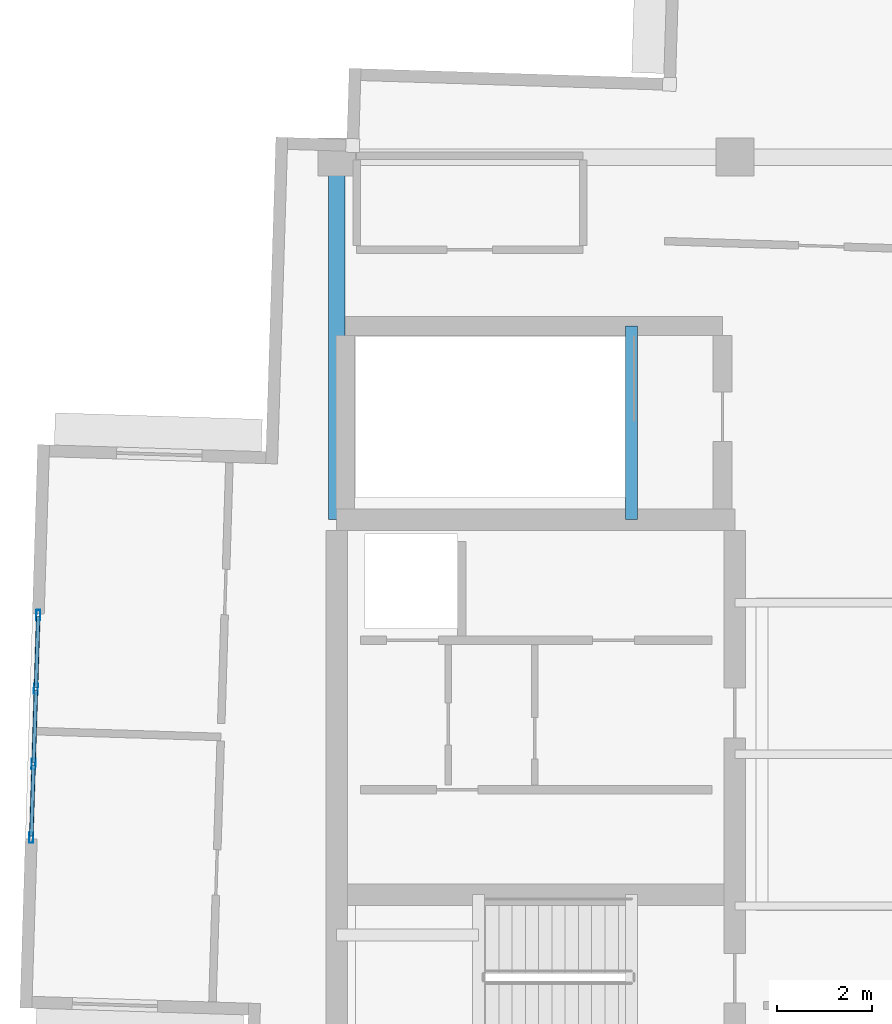
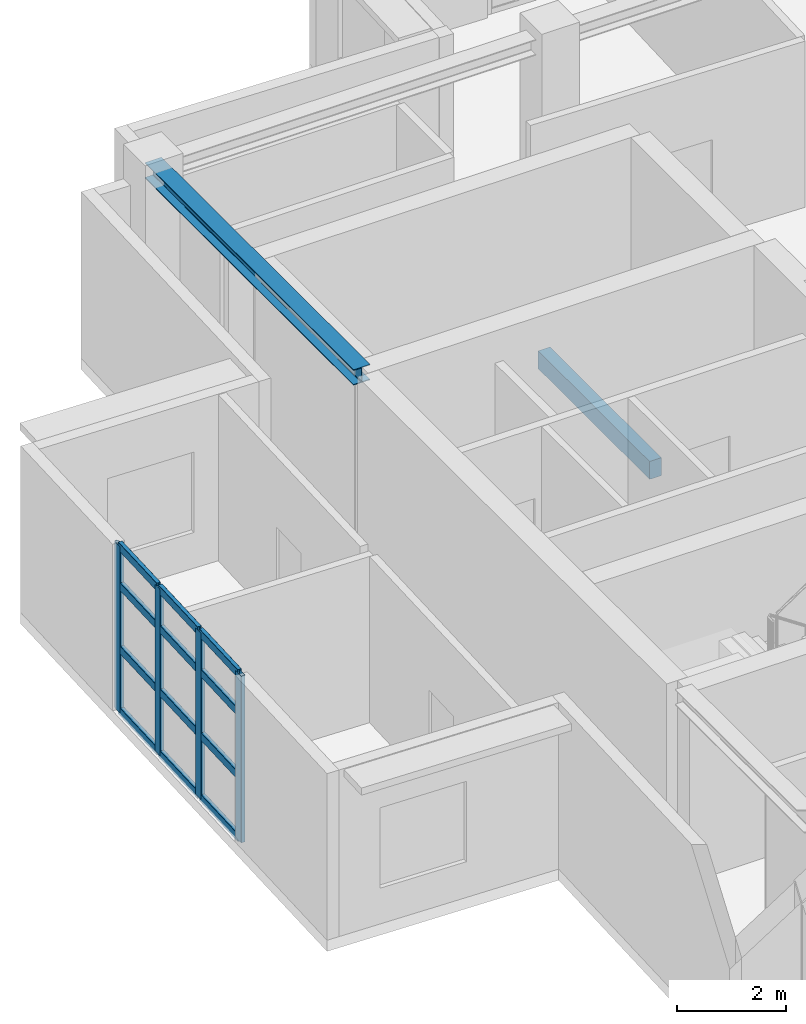
# One storey, part 5 of 14: 16 members, 2 beams, 1 element without a shape of its own.
"""IFC4 building model written with IfcOpenShell, lengths in metres."""

from ifc_helpers import new_model, si_unit, direction, frame, origin, origin_2d, place, context, subcontext, project, spatial, rectangle, hollow_rectangle, i_section, extrude, material, layer, layer_set, material_profile, profile_set, type_object, element, aggregate, save


model = new_model("IFC4")

# Units and contexts
model_context = context("Model", 3, precision=1e-05, world=origin(), true_north=direction((0.0, 1.0)))
body_context = subcontext(model_context, "Body", "Model", "MODEL_VIEW")
ifc_project = project(units=[si_unit("LENGTHUNIT", "METRE"), si_unit("AREAUNIT", "SQUARE_METRE"), si_unit("VOLUMEUNIT", "CUBIC_METRE"), si_unit("PLANEANGLEUNIT", "RADIAN"), si_unit("MASSUNIT", "GRAM", prefix="KILO")], contexts=[model_context])

# Site, building, storey
site_placement = place(None, origin())
site = spatial("IfcSite", under=ifc_project, at=site_placement, CompositionType="ELEMENT")
building_placement = place(site_placement, origin())
building = spatial("IfcBuilding", under=site, at=building_placement, Name="Qingluan Cross Belvedere", CompositionType="ELEMENT")
storey_placement = place(building_placement, frame((0.0, 0.0, 317.39990234375)))
storey = spatial("IfcBuildingStorey", under=building, at=storey_placement, Name="L78", CompositionType="ELEMENT", Elevation=317.39990234375)

# Curtain wall, members
ifc_material_1 = material(Name="Thermally broken aluminium and Low-E glass", Category="aluminium")
ifc_layer = layer(ifc_material_1, 0.219970703125, Name="ObservationCW_BelvedereDeck")
ifc_layer_set = layer_set([ifc_layer], Name="Thermally broken aluminium and Low-E glass")
curtain_wall_type = type_object("IfcCurtainWallType", Name="ObservationCW_BelvedereDeck", PredefinedType="USERDEFINED", material=ifc_layer_set)
curtain_wall_placement = place(storey_placement, origin())
curtain_wall = element("IfcCurtainWall", 1, at=curtain_wall_placement, inside=storey, type_object=curtain_wall_type, Name="ObservationCW_BelvedereDeck run env:cw:L78:W", ObjectType="OBSERVATION GLAZING WALL", PredefinedType="USERDEFINED")
ifc_material_2 = material(Name="Aluminium alloy 6063-T6", Category="aluminium")
ifc_material_profile_1 = material_profile(ifc_material_2, hollow_rectangle(XDim=0.0849609375, YDim=0.219970703125, WallThickness=0.0048828125, InnerFilletRadius=0.0048828125, OuterFilletRadius=0.010009765625, at=origin_2d()), Name="CWM220x85x5")
ifc_profile_set_1 = profile_set([ifc_material_profile_1], Name="Aluminium alloy 6063-T6")
member_type_1 = type_object("IfcMemberType", Name="CWMullion_220", PredefinedType="MULLION", material=ifc_profile_set_1)
member_1_placement = place(storey_placement, frame((-18.697021484375, 2.936767578125, 0.0), z_axis=(0.0, 0.0, 1.0), x_axis=(0.999506480476, -0.031413301117, 0.0)))
member_1 = element("IfcMember", 2, at=member_1_placement, type_object=member_type_1, Name="CW-C3 mullion 1", PredefinedType="MULLION", context=body_context, shape_type="SweptSolid", body=[
    extrude(hollow_rectangle(XDim=0.0849609375, YDim=0.219970703125, WallThickness=0.0048828125, InnerFilletRadius=0.0048828125, OuterFilletRadius=0.010009765625, at=origin_2d()), origin(), (0.0, 0.0, 1.0), 3.72998046875),
])
member_2_placement = place(storey_placement, frame((-18.745849609375, 1.382080078125, 0.0), z_axis=(0.0, 0.0, 1.0), x_axis=(0.999506480476, -0.031413301117, 0.0)))
member_2 = element("IfcMember", 3, at=member_2_placement, type_object=member_type_1, Name="CW-C3 mullion 2", PredefinedType="MULLION", context=body_context, shape_type="SweptSolid", body=[
    extrude(hollow_rectangle(XDim=0.0849609375, YDim=0.219970703125, WallThickness=0.0048828125, InnerFilletRadius=0.0048828125, OuterFilletRadius=0.010009765625, at=origin_2d()), origin(), (0.0, 0.0, 1.0), 3.72998046875),
])
member_3_placement = place(storey_placement, frame((-18.795654296875, -0.202392578125, 0.0), z_axis=(0.0, 0.0, 1.0), x_axis=(0.999506480476, -0.031413301117, 0.0)))
member_3 = element("IfcMember", 4, at=member_3_placement, type_object=member_type_1, Name="CW-C3 mullion 3", PredefinedType="MULLION", context=body_context, shape_type="SweptSolid", body=[
    extrude(hollow_rectangle(XDim=0.0849609375, YDim=0.219970703125, WallThickness=0.0048828125, InnerFilletRadius=0.0048828125, OuterFilletRadius=0.010009765625, at=origin_2d()), origin(), (0.0, 0.0, 1.0), 3.72998046875),
])
member_4_placement = place(storey_placement, frame((-18.844482421875, -1.7568359375, 0.0), z_axis=(0.0, 0.0, 1.0), x_axis=(0.999506480476, -0.031413301117, 0.0)))
member_4 = element("IfcMember", 5, at=member_4_placement, type_object=member_type_1, Name="CW-C3 mullion 4", PredefinedType="MULLION", context=body_context, shape_type="SweptSolid", body=[
    extrude(hollow_rectangle(XDim=0.0849609375, YDim=0.219970703125, WallThickness=0.0048828125, InnerFilletRadius=0.0048828125, OuterFilletRadius=0.010009765625, at=origin_2d()), origin(), (0.0, 0.0, 1.0), 3.72998046875),
])
ifc_material_3 = material(Name="Aluminium alloy 6063-T6", Category="aluminium")
ifc_material_profile_2 = material_profile(ifc_material_3, hollow_rectangle(XDim=0.0849609375, YDim=0.179931640625, WallThickness=0.00390625, InnerFilletRadius=0.00390625, OuterFilletRadius=0.008056640625, at=origin_2d()), Name="CWT180x85x4")
ifc_profile_set_2 = profile_set([ifc_material_profile_2], Name="Aluminium alloy 6063-T6")
member_type_2 = type_object("IfcMemberType", Name="CWTransom_180", PredefinedType="USERDEFINED", material=ifc_profile_set_2)
member_5_placement = place(storey_placement, frame((-18.697998046875, 2.90673828125, 0.030029296875), z_axis=(-0.031346887388, -0.999508565572, 0.0), x_axis=(0.999508565572, -0.031346887388, 0.0)))
member_5 = element("IfcMember", 6, at=member_5_placement, type_object=member_type_2, Name="CW-C3 transom 1.1", ObjectType="TRANSOM", PredefinedType="USERDEFINED", context=body_context, shape_type="SweptSolid", body=[
    extrude(hollow_rectangle(XDim=0.0849609375, YDim=0.179931640625, WallThickness=0.00390625, InnerFilletRadius=0.00390625, OuterFilletRadius=0.008056640625, at=origin_2d()), origin(), (0.0, 0.0, 1.0), 1.495361328125),
])
member_6_placement = place(storey_placement, frame((-18.697998046875, 2.90673828125, 1.4169921875), z_axis=(-0.031346887388, -0.999508565572, 0.0), x_axis=(0.999508565572, -0.031346887388, 0.0)))
member_6 = element("IfcMember", 7, at=member_6_placement, type_object=member_type_2, Name="CW-C3 transom 1.2", ObjectType="TRANSOM", PredefinedType="USERDEFINED", context=body_context, shape_type="SweptSolid", body=[
    extrude(hollow_rectangle(XDim=0.0849609375, YDim=0.179931640625, WallThickness=0.00390625, InnerFilletRadius=0.00390625, OuterFilletRadius=0.008056640625, at=origin_2d()), origin(), (0.0, 0.0, 1.0), 1.495361328125),
])
member_7_placement = place(storey_placement, frame((-18.697998046875, 2.90673828125, 2.835205078125), z_axis=(-0.031346887388, -0.999508565572, 0.0), x_axis=(0.999508565572, -0.031346887388, 0.0)))
member_7 = element("IfcMember", 8, at=member_7_placement, type_object=member_type_2, Name="CW-C3 transom 1.3", ObjectType="TRANSOM", PredefinedType="USERDEFINED", context=body_context, shape_type="SweptSolid", body=[
    extrude(hollow_rectangle(XDim=0.0849609375, YDim=0.179931640625, WallThickness=0.00390625, InnerFilletRadius=0.00390625, OuterFilletRadius=0.008056640625, at=origin_2d()), origin(), (0.0, 0.0, 1.0), 1.495361328125),
])
member_8_placement = place(storey_placement, frame((-18.697998046875, 2.90673828125, 3.7001953125), z_axis=(-0.031346887388, -0.999508565572, 0.0), x_axis=(0.999508565572, -0.031346887388, 0.0)))
member_8 = element("IfcMember", 9, at=member_8_placement, type_object=member_type_2, Name="CW-C3 transom 1.4", ObjectType="TRANSOM", PredefinedType="USERDEFINED", context=body_context, shape_type="SweptSolid", body=[
    extrude(hollow_rectangle(XDim=0.0849609375, YDim=0.179931640625, WallThickness=0.00390625, InnerFilletRadius=0.00390625, OuterFilletRadius=0.008056640625, at=origin_2d()), origin(), (0.0, 0.0, 1.0), 1.495361328125),
])
member_9_placement = place(storey_placement, frame((-18.746826171875, 1.352294921875, 0.030029296875), z_axis=(-0.031369661938, -0.99950785105, 0.0), x_axis=(0.99950785105, -0.031369661938, 0.0)))
member_9 = element("IfcMember", 10, at=member_9_placement, type_object=member_type_2, Name="CW-C3 transom 2.1", ObjectType="TRANSOM", PredefinedType="USERDEFINED", context=body_context, shape_type="SweptSolid", body=[
    extrude(hollow_rectangle(XDim=0.0849609375, YDim=0.179931640625, WallThickness=0.00390625, InnerFilletRadius=0.00390625, OuterFilletRadius=0.008056640625, at=origin_2d()), origin(), (0.0, 0.0, 1.0), 1.525390625),
])
member_10_placement = place(storey_placement, frame((-18.746826171875, 1.352294921875, 1.4169921875), z_axis=(-0.031369661938, -0.99950785105, 0.0), x_axis=(0.99950785105, -0.031369661938, 0.0)))
member_10 = element("IfcMember", 11, at=member_10_placement, type_object=member_type_2, Name="CW-C3 transom 2.2", ObjectType="TRANSOM", PredefinedType="USERDEFINED", context=body_context, shape_type="SweptSolid", body=[
    extrude(hollow_rectangle(XDim=0.0849609375, YDim=0.179931640625, WallThickness=0.00390625, InnerFilletRadius=0.00390625, OuterFilletRadius=0.008056640625, at=origin_2d()), origin(), (0.0, 0.0, 1.0), 1.525390625),
])
member_11_placement = place(storey_placement, frame((-18.746826171875, 1.352294921875, 2.835205078125), z_axis=(-0.031369661938, -0.99950785105, 0.0), x_axis=(0.99950785105, -0.031369661938, 0.0)))
member_11 = element("IfcMember", 12, at=member_11_placement, type_object=member_type_2, Name="CW-C3 transom 2.3", ObjectType="TRANSOM", PredefinedType="USERDEFINED", context=body_context, shape_type="SweptSolid", body=[
    extrude(hollow_rectangle(XDim=0.0849609375, YDim=0.179931640625, WallThickness=0.00390625, InnerFilletRadius=0.00390625, OuterFilletRadius=0.008056640625, at=origin_2d()), origin(), (0.0, 0.0, 1.0), 1.525390625),
])
member_12_placement = place(storey_placement, frame((-18.746826171875, 1.352294921875, 3.7001953125), z_axis=(-0.031369661938, -0.99950785105, 0.0), x_axis=(0.99950785105, -0.031369661938, 0.0)))
member_12 = element("IfcMember", 13, at=member_12_placement, type_object=member_type_2, Name="CW-C3 transom 2.4", ObjectType="TRANSOM", PredefinedType="USERDEFINED", context=body_context, shape_type="SweptSolid", body=[
    extrude(hollow_rectangle(XDim=0.0849609375, YDim=0.179931640625, WallThickness=0.00390625, InnerFilletRadius=0.00390625, OuterFilletRadius=0.008056640625, at=origin_2d()), origin(), (0.0, 0.0, 1.0), 1.525390625),
])
member_13_placement = place(storey_placement, frame((-18.796630859375, -0.232421875, 0.030029296875), z_axis=(-0.031346887388, -0.999508565572, 0.0), x_axis=(0.999508565572, -0.031346887388, 0.0)))
member_13 = element("IfcMember", 14, at=member_13_placement, type_object=member_type_2, Name="CW-C3 transom 3.1", ObjectType="TRANSOM", PredefinedType="USERDEFINED", context=body_context, shape_type="SweptSolid", body=[
    extrude(hollow_rectangle(XDim=0.0849609375, YDim=0.179931640625, WallThickness=0.00390625, InnerFilletRadius=0.00390625, OuterFilletRadius=0.008056640625, at=origin_2d()), origin(), (0.0, 0.0, 1.0), 1.495361328125),
])
member_14_placement = place(storey_placement, frame((-18.796630859375, -0.232421875, 1.4169921875), z_axis=(-0.031346887388, -0.999508565572, 0.0), x_axis=(0.999508565572, -0.031346887388, 0.0)))
member_14 = element("IfcMember", 15, at=member_14_placement, type_object=member_type_2, Name="CW-C3 transom 3.2", ObjectType="TRANSOM", PredefinedType="USERDEFINED", context=body_context, shape_type="SweptSolid", body=[
    extrude(hollow_rectangle(XDim=0.0849609375, YDim=0.179931640625, WallThickness=0.00390625, InnerFilletRadius=0.00390625, OuterFilletRadius=0.008056640625, at=origin_2d()), origin(), (0.0, 0.0, 1.0), 1.495361328125),
])
member_15_placement = place(storey_placement, frame((-18.796630859375, -0.232421875, 2.835205078125), z_axis=(-0.031346887388, -0.999508565572, 0.0), x_axis=(0.999508565572, -0.031346887388, 0.0)))
member_15 = element("IfcMember", 16, at=member_15_placement, type_object=member_type_2, Name="CW-C3 transom 3.3", ObjectType="TRANSOM", PredefinedType="USERDEFINED", context=body_context, shape_type="SweptSolid", body=[
    extrude(hollow_rectangle(XDim=0.0849609375, YDim=0.179931640625, WallThickness=0.00390625, InnerFilletRadius=0.00390625, OuterFilletRadius=0.008056640625, at=origin_2d()), origin(), (0.0, 0.0, 1.0), 1.495361328125),
])
member_16_placement = place(storey_placement, frame((-18.796630859375, -0.232421875, 3.7001953125), z_axis=(-0.031346887388, -0.999508565572, 0.0), x_axis=(0.999508565572, -0.031346887388, 0.0)))
member_16 = element("IfcMember", 17, at=member_16_placement, type_object=member_type_2, Name="CW-C3 transom 3.4", ObjectType="TRANSOM", PredefinedType="USERDEFINED", context=body_context, shape_type="SweptSolid", body=[
    extrude(hollow_rectangle(XDim=0.0849609375, YDim=0.179931640625, WallThickness=0.00390625, InnerFilletRadius=0.00390625, OuterFilletRadius=0.008056640625, at=origin_2d()), origin(), (0.0, 0.0, 1.0), 1.495361328125),
])
aggregate(curtain_wall, [member_1, member_2, member_3, member_4, member_5, member_6, member_7, member_8, member_9, member_10, member_11, member_12, member_13, member_14, member_15, member_16])

# Beams
ifc_material_4 = material(Name="Concrete C45", Category="concrete")
ifc_material_profile_3 = material_profile(ifc_material_4, rectangle(XDim=0.25, YDim=0.39990234375, at=origin_2d()), Name="RC250x400")
ifc_profile_set_3 = profile_set([ifc_material_profile_3], Name="Concrete C45")
beam_type_1 = type_object("IfcBeamType", Name="RC_Lintel_RC250x400", PredefinedType="LINTEL", material=ifc_profile_set_3)
beam_1_placement = place(storey_placement, frame((-6.179931640625, 4.949951171875, -0.199951171875), z_axis=(0.0, 1.0, 0.0), x_axis=(-1.0, 0.0, 0.0)))
element("IfcBeam", 18, at=beam_1_placement, inside=storey, type_object=beam_type_1, Name="Stair ST3 landing beam L78", PredefinedType="LINTEL", context=body_context, shape_type="SweptSolid", body=[
    extrude(rectangle(XDim=0.25, YDim=0.39990234375, at=origin_2d()), origin(), (0.0, 0.0, 1.0), 4.090087890625),
])
ifc_material_5 = material(Name="Steel Q420GJB", Category="steel")
ifc_material_profile_4 = material_profile(ifc_material_5, i_section(OverallWidth=0.35009765625, OverallDepth=0.35009765625, WebThickness=0.011962890625, FlangeThickness=0.01904296875, FilletRadius=0.02001953125, at=origin_2d()), Name="HW350x350x12x19")
ifc_profile_set_4 = profile_set([ifc_material_profile_4], Name="Steel Q420GJB")
beam_type_2 = type_object("IfcBeamType", Name="Steel_Girder_HW350x350x12x19", PredefinedType="USERDEFINED", material=ifc_profile_set_4)
beam_2_placement = place(storey_placement, frame((-12.39990234375, 4.949951171875, 4.0751953125), z_axis=(0.0, 1.0, 0.0), x_axis=(-1.0, 0.0, 0.0)))
element("IfcBeam", 19, at=beam_2_placement, inside=storey, type_object=beam_type_2, Name="Hub girder L78-HG-W2", ObjectType="GIRDER", PredefinedType="USERDEFINED", context=body_context, shape_type="SweptSolid", body=[
    extrude(i_section(OverallWidth=0.35009765625, OverallDepth=0.35009765625, WebThickness=0.011962890625, FlangeThickness=0.01904296875, FilletRadius=0.02001953125, at=origin_2d()), origin(), (0.0, 0.0, 1.0), 7.650146484375),
])

save(model, "model.ifc")
